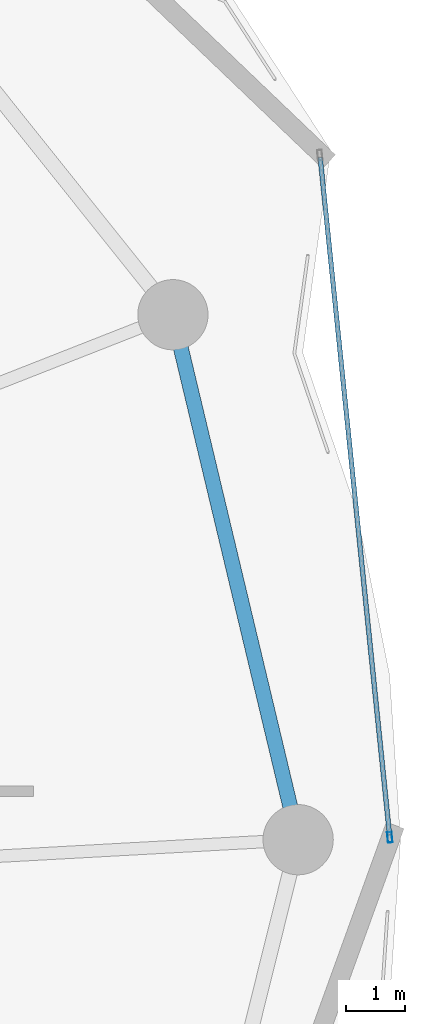
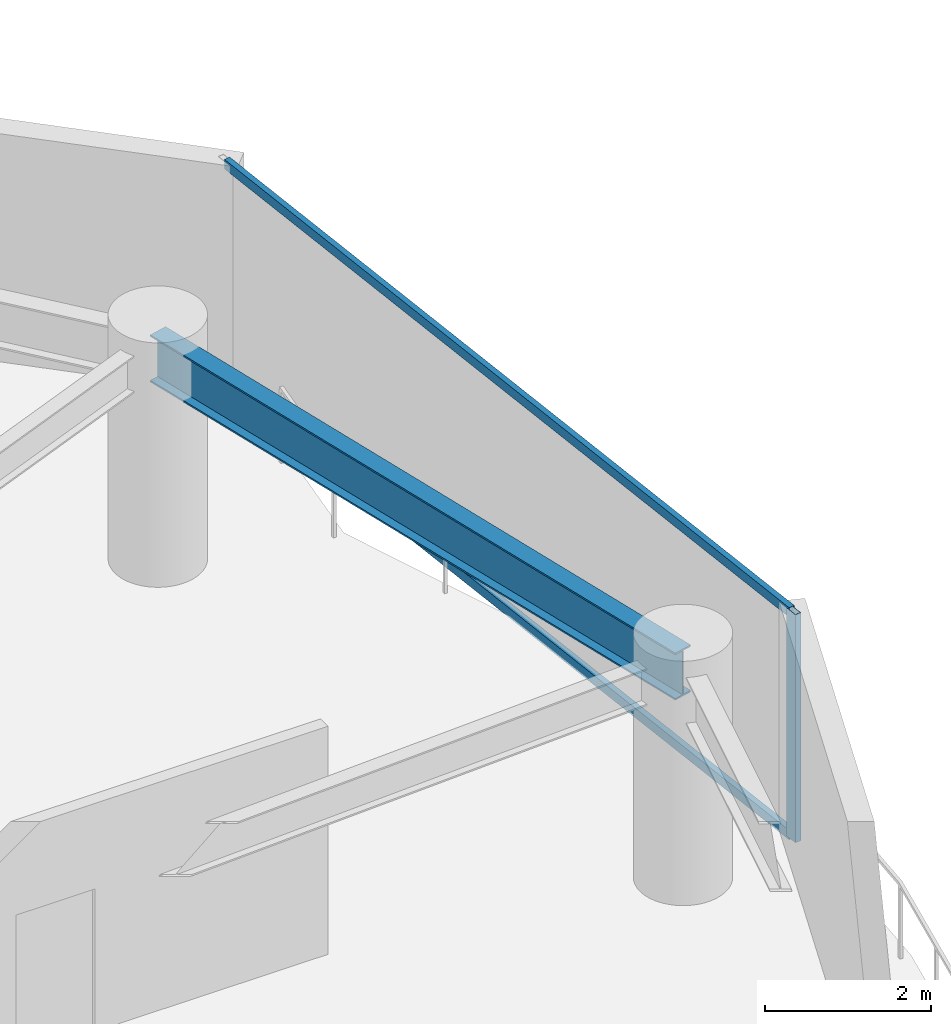
# One storey, part 15 of 30: 3 members, 1 beam, 1 element without a shape of its own.
"""IFC4 building model written with IfcOpenShell, lengths in metres."""

from ifc_helpers import new_model, si_unit, direction, frame, origin, origin_2d, place, context, subcontext, project, spatial, hollow_rectangle, i_section, extrude, material, layer, layer_set, material_profile, profile_set, type_object, element, aggregate, save


model = new_model("IFC4")

# Units and contexts
model_context = context("Model", 3, precision=1e-05, world=origin(), true_north=direction((0.0, 1.0)))
body_context = subcontext(model_context, "Body", "Model", "MODEL_VIEW")
ifc_project = project(units=[si_unit("LENGTHUNIT", "METRE"), si_unit("AREAUNIT", "SQUARE_METRE"), si_unit("VOLUMEUNIT", "CUBIC_METRE"), si_unit("PLANEANGLEUNIT", "RADIAN"), si_unit("MASSUNIT", "GRAM", prefix="KILO")], contexts=[model_context])

# Site, building, storey
site_placement = place(None, origin())
site = spatial("IfcSite", under=ifc_project, at=site_placement, CompositionType="ELEMENT")
building_placement = place(site_placement, origin())
building = spatial("IfcBuilding", under=site, at=building_placement, Name="Kazevale Care Tower and Concert Hall", CompositionType="ELEMENT")
storey_placement = place(building_placement, frame((0.0, 0.0, 131.39990234375)))
storey = spatial("IfcBuildingStorey", under=building, at=storey_placement, Name="L34", CompositionType="ELEMENT", Elevation=131.39990234375)

# Curtain wall, members
ifc_material_1 = material(Name="Aluminium 6063-T6 and Low-E Glass", Category="aluminium")
ifc_layer = layer(ifc_material_1, 0.179931640625)
ifc_layer_set = layer_set([ifc_layer], Name="Aluminium 6063-T6 and Low-E Glass")
curtain_wall_type = type_object("IfcCurtainWallType", Name="Waist & Upper Residential Curtain Wall CW-4", PredefinedType="NOTDEFINED", material=ifc_layer_set)
curtain_wall_placement = place(storey_placement, origin())
curtain_wall = element("IfcCurtainWall", 1, at=curtain_wall_placement, inside=storey, type_object=curtain_wall_type, Name="cw:L34:f18", PredefinedType="NOTDEFINED")
ifc_material_2 = material(Name="Aluminium 6063-T6", Category="aluminium")
ifc_material_profile_1 = material_profile(ifc_material_2, hollow_rectangle(XDim=0.080078125, YDim=0.179931640625, WallThickness=0.0048828125, at=origin_2d()), Name="ALU80x180x5")
ifc_profile_set_1 = profile_set([ifc_material_profile_1], Name="Aluminium 6063-T6")
member_type_1 = type_object("IfcMemberType", Name="CW-4 Mullion ALU80x180x5", PredefinedType="MULLION", material=ifc_profile_set_1)
member_1_placement = place(storey_placement, frame((74.615966796875, 38.039794921875, 0.0), z_axis=(0.0, 0.0, 1.0), x_axis=(0.994797747326, 0.101869730126, 0.0)))
member_1 = element("IfcMember", 2, at=member_1_placement, type_object=member_type_1, Name="CW-4 mullion 2", PredefinedType="MULLION", context=body_context, shape_type="SweptSolid", body=[
    extrude(hollow_rectangle(XDim=0.080078125, YDim=0.179931640625, WallThickness=0.0048828125, at=origin_2d()), origin(), (0.0, 0.0, 1.0), 3.360107421875),
])
ifc_material_profile_2 = material_profile(ifc_material_2, hollow_rectangle(XDim=0.080078125, YDim=0.139892578125, WallThickness=0.00390625, at=origin_2d()), Name="ALU80x140x4")
ifc_profile_set_2 = profile_set([ifc_material_profile_2], Name="Aluminium 6063-T6")
member_type_2 = type_object("IfcMemberType", Name="CW-4 Transom ALU80x140x4", PredefinedType="USERDEFINED", material=ifc_profile_set_2)
member_2_placement = place(storey_placement, frame((73.42626953125, 49.658447265625, 0.0400390625), z_axis=(0.101856421, -0.994799110123, 0.0), x_axis=(0.994799110123, 0.101856421, 0.0)))
member_2 = element("IfcMember", 3, at=member_2_placement, type_object=member_type_2, Name="CW-4 transom 1.1", ObjectType="TRANSOM", PredefinedType="USERDEFINED", context=body_context, shape_type="SweptSolid", body=[
    extrude(hollow_rectangle(XDim=0.080078125, YDim=0.139892578125, WallThickness=0.00390625, at=origin_2d()), origin(), (0.0, 0.0, 1.0), 11.639404296875),
])
member_3_placement = place(storey_placement, frame((73.42626953125, 49.658447265625, 3.320068359375), z_axis=(0.101856421, -0.994799110123, 0.0), x_axis=(0.994799110123, 0.101856421, 0.0)))
member_3 = element("IfcMember", 4, at=member_3_placement, type_object=member_type_2, Name="CW-4 transom 1.2", ObjectType="TRANSOM", PredefinedType="USERDEFINED", context=body_context, shape_type="SweptSolid", body=[
    extrude(hollow_rectangle(XDim=0.080078125, YDim=0.139892578125, WallThickness=0.00390625, at=origin_2d()), origin(), (0.0, 0.0, 1.0), 11.639404296875),
])
aggregate(curtain_wall, [member_1, member_2, member_3])

# Beam
ifc_material_3 = material(Name="Steel ASTM A572 Gr 50", Category="steel")
ifc_material_profile_3 = material_profile(ifc_material_3, i_section(OverallWidth=0.256103515625, OverallDepth=0.693115234375, WebThickness=0.014404296875, FlangeThickness=0.023681640625, at=origin_2d()), Name="W690x170")
ifc_profile_set_3 = profile_set([ifc_material_profile_3], Name="Steel ASTM A572 Gr 50")
beam_type = type_object("IfcBeamType", Name="Waist Ring Beam W690x170", PredefinedType="BEAM", material=ifc_profile_set_3)
beam_placement = place(storey_placement, frame((73.050048828125, 38.0, 3.013671875), z_axis=(-0.232075055882, 0.972697881378, 0.0), x_axis=(-0.972697881378, -0.232075055882, 0.0)))
element("IfcBeam", 5, at=beam_placement, inside=storey, type_object=beam_type, Name="beam:L34:ring:01", PredefinedType="BEAM", context=body_context, shape_type="SweptSolid", body=[
    extrude(i_section(OverallWidth=0.256103515625, OverallDepth=0.693115234375, WebThickness=0.014404296875, FlangeThickness=0.023681640625, at=origin_2d()), origin(), (0.0, 0.0, 1.0), 9.2216796875),
])

save(model, "model.ifc")
